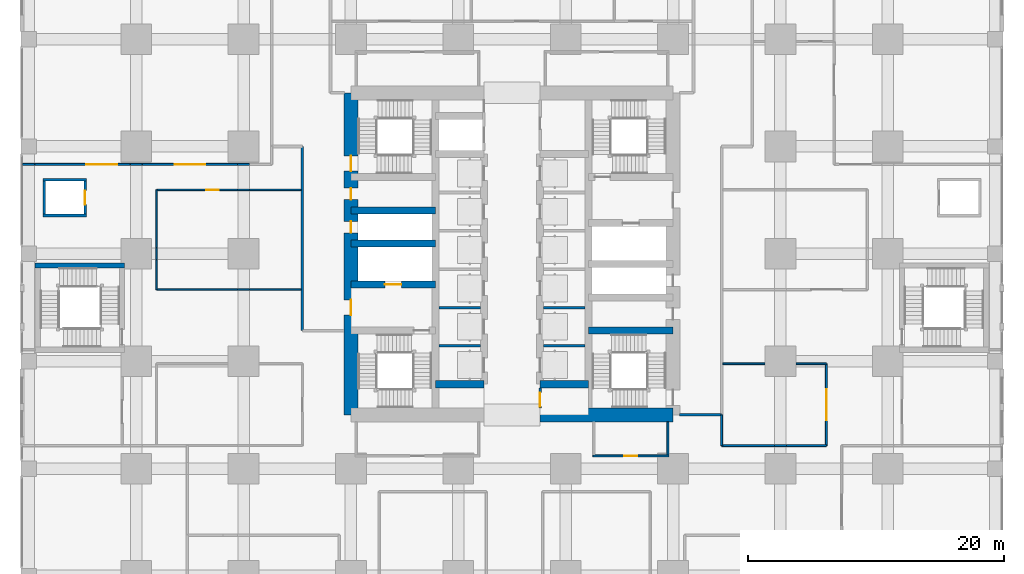
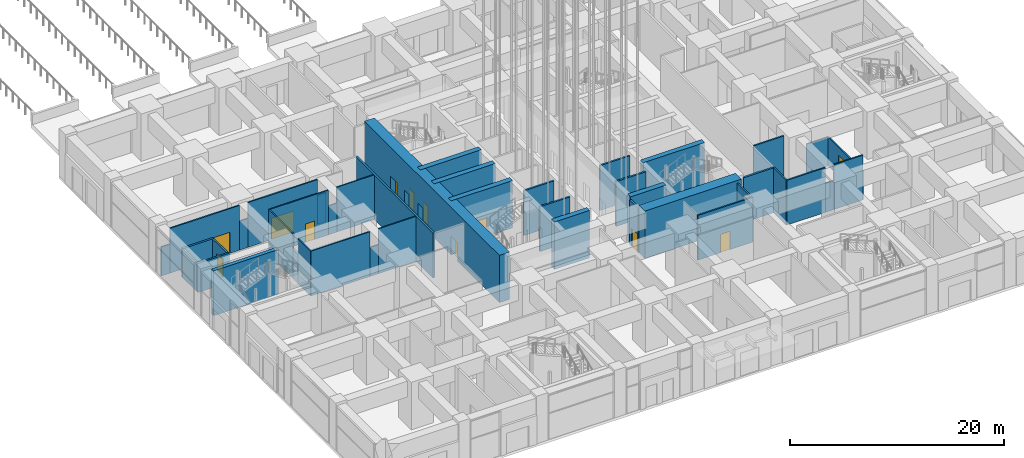
# One storey, part 39 of 81: 43 walls, 12 doors, 12 openings.
"""IFC4 building model written with IfcOpenShell, lengths in metres."""

import ifcopenshell
import ifcopenshell.guid

model = None  # the IFC model being written
_history = None  # IfcOwnerHistory: only IFC2X3 demands one
_inside = {}  # id of a spatial element -> (the spatial element, [elements in it])
_under = {}  # id of a project, library or spatial element -> (it, [spatial elements below it])
_declared = {}  # id of a project -> (the project, [libraries it declares])
_typed = {}  # id of a type object -> (the type object, [elements of that type])
_made_of = {}  # id of a material, layer set ... -> (it, [elements and type objects made of it])


def new_model(schema):
    """Start an empty IFC model of exactly this schema.

    Asked for "IFC4X3", IfcOpenShell would pick the latest addendum, in which some entities
    have other attributes; the version numbers below select the first issue.
    IFC2X3 requires an IfcOwnerHistory on every rooted entity: one is made here for all.
    """
    global model, _history
    if schema == "IFC4X3":
        model = ifcopenshell.file(schema_version=(4, 3, 0, 0))
    else:
        model = ifcopenshell.file(schema=schema)
    _inside.clear()
    _under.clear()
    _declared.clear()
    _typed.clear()
    _made_of.clear()
    _history = None
    if model.schema == "IFC2X3":
        org = make("IfcOrganization", Name="unknown")
        user = make(
            "IfcPersonAndOrganization",
            ThePerson=make("IfcPerson", FamilyName="unknown"),
            TheOrganization=org,
        )
        app = make(
            "IfcApplication",
            ApplicationDeveloper=org,
            Version="unknown",
            ApplicationFullName="unknown",
            ApplicationIdentifier="unknown",
        )
        _history = make(
            "IfcOwnerHistory",
            OwningUser=user,
            OwningApplication=app,
            ChangeAction="ADDED",
            CreationDate=0,
        )
    return model


def make(cls, **values):
    """One entity of the class cls with the attributes given. An attribute that is None is left unset."""
    return model.create_entity(
        cls, **{name: value for name, value in values.items() if value is not None}
    )


def rooted(cls, **values):
    """An entity with a GlobalId (a new one), such as an element, a storey or a relation."""
    return make(cls, GlobalId=ifcopenshell.guid.new(), OwnerHistory=_history, **values)


def si_unit(unit_type, name, prefix=None):
    """IfcSIUnit, for example si_unit("LENGTHUNIT", "METRE", prefix="MILLI")."""
    return make("IfcSIUnit", UnitType=unit_type, Prefix=prefix, Name=name)


def assignment(units):
    """IfcUnitAssignment: the units of a project."""
    return None if units is None else make("IfcUnitAssignment", Units=units)


def point(xyz):
    """IfcCartesianPoint."""
    return None if xyz is None else make("IfcCartesianPoint", Coordinates=xyz)


def direction(xyz):
    """IfcDirection."""
    return None if xyz is None else make("IfcDirection", DirectionRatios=xyz)


def frame(location, z_axis=None, x_axis=None):
    """IfcAxis2Placement3D, a coordinate frame: its origin and axes. An axis left out is left unset."""
    return make(
        "IfcAxis2Placement3D",
        Location=point(location),
        Axis=direction(z_axis),
        RefDirection=direction(x_axis),
    )


def frame_2d(location, x_axis=None):
    """IfcAxis2Placement2D, a coordinate frame in the plane: its origin and x axis."""
    return make(
        "IfcAxis2Placement2D", Location=point(location), RefDirection=direction(x_axis)
    )


def origin():
    """The frame at (0, 0, 0) with its axes left unset."""
    return frame((0.0, 0.0, 0.0))


def place(relative_to, where):
    """IfcLocalPlacement: puts the frame where relative to a parent placement (None: the world)."""
    return make(
        "IfcLocalPlacement", PlacementRelTo=relative_to, RelativePlacement=where
    )


def context(
    kind, dimensions, precision=None, world=None, true_north=None, identifier=None
):
    """IfcGeometricRepresentationContext, for example the 3D "Model" context."""
    return make(
        "IfcGeometricRepresentationContext",
        ContextIdentifier=identifier,
        ContextType=kind,
        CoordinateSpaceDimension=dimensions,
        Precision=precision,
        WorldCoordinateSystem=world,
        TrueNorth=true_north,
    )


def subcontext(parent, identifier, kind, view, scale=None):
    """IfcGeometricRepresentationSubContext, for example "Body" below "Model"."""
    return make(
        "IfcGeometricRepresentationSubContext",
        ContextIdentifier=identifier,
        ContextType=kind,
        ParentContext=parent,
        TargetScale=scale,
        TargetView=view,
    )


def project(units=None, contexts=None):
    """IfcProject with its units and contexts."""
    return rooted(
        "IfcProject",
        Name="project",
        RepresentationContexts=contexts,
        UnitsInContext=assignment(units),
    )


def spatial(cls, under=None, at=None, **own):
    """A site, building, storey or space (cls), placed at a placement, below another one or the project."""
    s = rooted(cls, ObjectPlacement=at, **own)
    if under is not None:
        _under.setdefault(under.id(), (under, []))[1].append(s)
    return s


def profile(cls, at=None, kind="AREA", **sizes):
    """A parametric profile (cls). Its sizes go by their IFC names, for example OverallWidth=200.0."""
    return make(cls, ProfileType=kind, Position=at, **sizes)


def rectangle(**sizes):
    """IfcRectangleProfileDef."""
    return profile("IfcRectangleProfileDef", **sizes)


def extrude(swept, where, along, depth):
    """IfcExtrudedAreaSolid: the profile swept, set in the frame where, extruded along a direction by depth."""
    return make(
        "IfcExtrudedAreaSolid",
        SweptArea=swept,
        Position=where,
        ExtrudedDirection=direction(along),
        Depth=depth,
    )


def shape(context_of_items, identifier, shape_type, items):
    """IfcShapeRepresentation: the items that make up one representation, for example the "Body"."""
    return make(
        "IfcShapeRepresentation",
        ContextOfItems=context_of_items,
        RepresentationIdentifier=identifier,
        RepresentationType=shape_type,
        Items=items,
    )


def material(Name=None, Category=None):
    """IfcMaterial."""
    return make("IfcMaterial", Name=Name, Category=Category)


def layer(
    of_material, thickness, ventilated=None, Name=None, Category=None, Priority=None
):
    """IfcMaterialLayer: one layer of a wall or slab, of a material (None: an air gap)."""
    return make(
        "IfcMaterialLayer",
        Material=of_material,
        LayerThickness=thickness,
        IsVentilated=ventilated,
        Name=Name,
        Category=Category,
        Priority=Priority,
    )


def layer_set(layers, Name=None):
    """IfcMaterialLayerSet."""
    return make("IfcMaterialLayerSet", MaterialLayers=layers, LayerSetName=Name)


def made_of(thing, what):
    """Note that an element or type object is made of a material, layer set ...; save() writes the relation."""
    if what is not None:
        _made_of.setdefault(what.id(), (what, []))[1].append(thing)
    return thing


def type_object(cls, material=None, **own):
    """A type object (cls), such as IfcWallType, which elements share."""
    return made_of(rooted(cls, **own), material)


def element(
    cls,
    number,
    at=None,
    inside=None,
    cuts=None,
    type_object=None,
    material=None,
    context=None,
    identifier="Body",
    shape_type=None,
    held_by="IfcProductDefinitionShape",
    body=None,
    shapes=None,
    **own,
):
    """One element of the class cls, such as IfcWall. Its Tag is "e" and its number.

    at: its placement. inside: the storey or other place that contains it. cuts: it is an
    opening in that element (IfcRelVoidsElement). A single representation is given by context,
    identifier, shape_type and body (its items); several are given by shapes. held_by: the class
    of the entity that holds the representations. save() writes the other relations.
    """
    e = rooted(cls, Tag="e%d" % number, ObjectPlacement=at, **own)
    if body is not None:
        shapes = [shape(context, identifier, shape_type, body)]
    if shapes is not None:
        e.Representation = make(held_by, Representations=shapes)
    if inside is not None:
        _inside.setdefault(inside.id(), (inside, []))[1].append(e)
    if cuts is not None:
        rooted(
            "IfcRelVoidsElement", RelatingBuildingElement=cuts, RelatedOpeningElement=e
        )
    if type_object is not None:
        _typed.setdefault(type_object.id(), (type_object, []))[1].append(e)
    return made_of(e, material)


def fill(opening, filler):
    """IfcRelFillsElement: the door or window that sits in an opening."""
    return rooted(
        "IfcRelFillsElement",
        RelatingOpeningElement=opening,
        RelatedBuildingElement=filler,
    )


def aggregate(whole, parts):
    """IfcRelAggregates: a whole, such as a stair, and the parts it consists of."""
    return rooted("IfcRelAggregates", RelatingObject=whole, RelatedObjects=parts)


def save(model, path):
    """Write the relations noted so far, then the file.

    IfcRelAggregates (storeys below a building ...), IfcRelContainedInSpatialStructure (elements
    in a storey), IfcRelDefinesByType, IfcRelAssociatesMaterial and IfcRelDeclares: one each for
    every whole, place, type object, material and project.
    """
    for whole, parts in _under.values():
        aggregate(whole, parts)
    for where, things in _inside.values():
        rooted(
            "IfcRelContainedInSpatialStructure",
            RelatedElements=things,
            RelatingStructure=where,
        )
    for kind, things in _typed.values():
        rooted("IfcRelDefinesByType", RelatedObjects=things, RelatingType=kind)
    for what, things in _made_of.values():
        rooted("IfcRelAssociatesMaterial", RelatedObjects=things, RelatingMaterial=what)
    for by, libraries in _declared.values():
        rooted("IfcRelDeclares", RelatingContext=by, RelatedDefinitions=libraries)
    model.write(path)


model = new_model("IFC4")

# Units and contexts
model_context = context("Model", 3, precision=1e-05, world=origin(), true_north=direction((0.0, 1.0)))
body_context = subcontext(model_context, "Body", "Model", "MODEL_VIEW")
ifc_project = project(units=[si_unit("LENGTHUNIT", "METRE"), si_unit("AREAUNIT", "SQUARE_METRE"), si_unit("VOLUMEUNIT", "CUBIC_METRE"), si_unit("PLANEANGLEUNIT", "RADIAN"), si_unit("MASSUNIT", "GRAM", prefix="KILO")], contexts=[model_context])

# Site, building, storey
site_placement = place(None, origin())
site = spatial("IfcSite", under=ifc_project, at=site_placement, CompositionType="ELEMENT")
building_placement = place(site_placement, origin())
building = spatial("IfcBuilding", under=site, at=building_placement, Name="Rekha Terrace Tower", CompositionType="ELEMENT")
storey_placement = place(building_placement, origin())
storey = spatial("IfcBuildingStorey", under=building, at=storey_placement, Name="L00", CompositionType="ELEMENT", Elevation=0.0)

# Walls
ifc_material_1 = material(Name="Concrete M70", Category="concrete")
ifc_layer_1 = layer(ifc_material_1, 0.550048828125)
ifc_layer_set_1 = layer_set([ifc_layer_1], Name="Concrete M70")
wall_type_1 = type_object("IfcWallType", Name="CI1 550 core internal shear wall", PredefinedType="SHEAR", material=ifc_layer_set_1)
for number, where, z_axis, x_axis, name in (
    (1, (31.800048828125, 23.39990234375, 0.0), (0.0, 0.0, 1.0), (1.0, 0.0, 0.0), "Core wall Y234W L00"),
    (2, (40.0, 23.39990234375, 0.0), (0.0, 0.0, 1.0), (1.0, 0.0, 0.0), "Core wall Y234E L00"),
):
    element("IfcWall", number, at=place(storey_placement, frame(where, z_axis=z_axis, x_axis=x_axis)), inside=storey, type_object=wall_type_1, Name=name, PredefinedType="SHEAR", context=body_context, shape_type="SweptSolid", body=[
        extrude(rectangle(XDim=3.800048828125, YDim=0.550048828125, at=frame_2d((1.89990234375, 0.0))), origin(), (0.0, 0.0, 1.0), 5.39990234375),
    ])

# Wall, opening, door
wall_1_placement = place(storey_placement, frame((25.199951171875, 31.199951171875, 0.0), z_axis=(0.0, 0.0, 1.0), x_axis=(1.0, 0.0, 0.0)))
wall_1 = element("IfcWall", 3, at=wall_1_placement, inside=storey, type_object=wall_type_1, Name="Core wall Y312W L00", PredefinedType="SHEAR", context=body_context, shape_type="SweptSolid", body=[
    extrude(rectangle(XDim=6.60009765625, YDim=0.550048828125, at=frame_2d((3.300048828125, 0.0))), origin(), (0.0, 0.0, 1.0), 5.39990234375),
])
opening_1_placement = place(wall_1_placement, frame((2.64990234375, 0.0, 0.0)))
opening_1 = element("IfcOpeningElement", 4, at=opening_1_placement, cuts=wall_1, Name="Opening LD2", PredefinedType="OPENING", context=body_context, shape_type="SweptSolid", body=[
    extrude(rectangle(XDim=1.300048828125, YDim=2.10009765625, at=frame_2d((0.64990234375, 1.050048828125))), frame((0.0, 0.284912109375, 0.0), z_axis=(0.0, -1.0, 0.0), x_axis=(1.0, 0.0, 0.0)), (0.0, 0.0, 1.0), 0.570068359375),
])
ifc_material_2 = material(Name="Stainless steel sliding landing door", Category="steel")
door_type_1 = type_object("IfcDoorType", Name="LD2 1300x2100 fire lift landing door", OperationType="SLIDING_TO_LEFT", PredefinedType="USERDEFINED", material=ifc_material_2)
door_1_placement = place(opening_1_placement, origin())
door_1 = element("IfcDoor", 5, at=door_1_placement, inside=storey, type_object=door_type_1, Name="Lift FL1 landing door L00", ObjectType="LIFT LANDING DOOR", OperationType="SLIDING_TO_LEFT", OverallHeight=2.10009765625, OverallWidth=1.300048828125, PredefinedType="USERDEFINED", context=body_context, shape_type="SweptSolid", body=[
    extrude(rectangle(XDim=1.300048828125, YDim=2.10009765625, at=frame_2d((0.64990234375, 1.050048828125))), frame((0.0, 0.02490234375, 0.0), z_axis=(0.0, -1.0, 0.0), x_axis=(1.0, 0.0, 0.0)), (0.0, 0.0, 1.0), 0.050048828125),
])
fill(opening_1, door_1)

# Walls
for number, where, z_axis, x_axis, name in (
    (6, (25.199951171875, 34.39990234375, 0.0), (0.0, 0.0, 1.0), (1.0, 0.0, 0.0), "Core wall Y344W L00"),
    (7, (25.199951171875, 37.0, 0.0), (0.0, 0.0, 1.0), (1.0, 0.0, 0.0), "Core wall Y370W L00"),
):
    element("IfcWall", number, at=place(storey_placement, frame(where, z_axis=z_axis, x_axis=x_axis)), inside=storey, type_object=wall_type_1, Name=name, PredefinedType="SHEAR", context=body_context, shape_type="SweptSolid", body=[
        extrude(rectangle(XDim=6.60009765625, YDim=0.550048828125, at=frame_2d((3.300048828125, 0.0))), origin(), (0.0, 0.0, 1.0), 5.39990234375),
    ])
wall_2_placement = place(storey_placement, frame((43.800048828125, 27.60009765625, 0.0), z_axis=(0.0, 0.0, 1.0), x_axis=(1.0, 0.0, 0.0)))
element("IfcWall", 8, at=wall_2_placement, inside=storey, type_object=wall_type_1, Name="Core wall Y276E L00", PredefinedType="SHEAR", context=body_context, shape_type="SweptSolid", body=[
    extrude(rectangle(XDim=6.599853515625, YDim=0.550048828125, at=frame_2d((3.2998046875, 0.0))), origin(), (0.0, 0.0, 1.0), 5.39990234375),
])
ifc_layer_2 = layer(ifc_material_1, 1.10009765625)
ifc_layer_set_2 = layer_set([ifc_layer_2], Name="Concrete M70")
wall_type_2 = type_object("IfcWallType", Name="SW1 1100 core outer shear wall", PredefinedType="SHEAR", material=ifc_layer_set_2)
wall_3_placement = place(storey_placement, frame((40.0, 21.0, 0.0), z_axis=(0.0, 0.0, 1.0), x_axis=(1.0, 0.0, 0.0)))
element("IfcWall", 9, at=wall_3_placement, inside=storey, type_object=wall_type_2, Name="Core wall S2 L00", PredefinedType="SHEAR", context=body_context, shape_type="SweptSolid", body=[
    extrude(rectangle(XDim=10.39990234375, YDim=1.10009765625, at=frame_2d((5.199951171875, 0.0))), origin(), (0.0, 0.0, 1.0), 5.39990234375),
])

# Wall, openings, doors
wall_4_placement = place(storey_placement, frame((25.199951171875, 21.0, 0.0), z_axis=(0.0, 0.0, 1.0), x_axis=(0.0, 1.0, 0.0)))
wall_4 = element("IfcWall", 10, at=wall_4_placement, inside=storey, type_object=wall_type_2, Name="Core wall W L00", PredefinedType="SHEAR", context=body_context, shape_type="SweptSolid", body=[
    extrude(rectangle(XDim=25.199951171875, YDim=1.10009765625, at=frame_2d((12.60009765625, 0.0))), origin(), (0.0, 0.0, 1.0), 5.39990234375),
])
opening_2_placement = place(wall_4_placement, frame((7.800048828125, 0.0, 0.0)))
opening_2 = element("IfcOpeningElement", 11, at=opening_2_placement, cuts=wall_4, Name="Opening D2", PredefinedType="OPENING", context=body_context, shape_type="SweptSolid", body=[
    extrude(rectangle(XDim=1.199951171875, YDim=2.10009765625, at=frame_2d((0.60009765625, 1.050048828125))), frame((0.0, 0.56005859375, 0.0), z_axis=(0.0, -1.0, 0.0), x_axis=(1.0, 0.0, 0.0)), (0.0, 0.0, 1.0), 1.1201171875),
])
opening_3_placement = place(wall_4_placement, frame((14.25, 0.0, 0.0)))
opening_3 = element("IfcOpeningElement", 12, at=opening_3_placement, cuts=wall_4, Name="Opening D5", PredefinedType="OPENING", context=body_context, shape_type="SweptSolid", body=[
    extrude(rectangle(XDim=0.89990234375, YDim=2.10009765625, at=frame_2d((0.449951171875, 1.050048828125))), frame((0.0, 0.56005859375, 0.0), z_axis=(0.0, -1.0, 0.0), x_axis=(1.0, 0.0, 0.0)), (0.0, 0.0, 1.0), 1.1201171875),
])
opening_4_placement = place(wall_4_placement, frame((16.85009765625, 0.0, 0.0)))
opening_4 = element("IfcOpeningElement", 13, at=opening_4_placement, cuts=wall_4, Name="Opening D5", PredefinedType="OPENING", context=body_context, shape_type="SweptSolid", body=[
    extrude(rectangle(XDim=0.89990234375, YDim=2.10009765625, at=frame_2d((0.449951171875, 1.050048828125))), frame((0.0, 0.56005859375, 0.0), z_axis=(0.0, -1.0, 0.0), x_axis=(1.0, 0.0, 0.0)), (0.0, 0.0, 1.0), 1.1201171875),
])
opening_5_placement = place(wall_4_placement, frame((19.074951171875, 0.0, 0.0)))
opening_5 = element("IfcOpeningElement", 14, at=opening_5_placement, cuts=wall_4, Name="Opening D1", PredefinedType="OPENING", context=body_context, shape_type="SweptSolid", body=[
    extrude(rectangle(XDim=1.199951171875, YDim=2.10009765625, at=frame_2d((0.60009765625, 1.050048828125))), frame((0.0, 0.56005859375, 0.0), z_axis=(0.0, -1.0, 0.0), x_axis=(1.0, 0.0, 0.0)), (0.0, 0.0, 1.0), 1.1201171875),
])
ifc_material_3 = material(Name="Steel fire door", Category="steel")
door_type_2 = type_object("IfcDoorType", Name="D1 1200x2100 stair fire door", OperationType="SINGLE_SWING_RIGHT", PredefinedType="DOOR", material=ifc_material_3)
door_2_placement = place(opening_5_placement, origin())
door_2 = element("IfcDoor", 15, at=door_2_placement, inside=storey, type_object=door_type_2, Name="Stair ST4 door L00", OperationType="SINGLE_SWING_RIGHT", OverallHeight=2.10009765625, OverallWidth=1.199951171875, PredefinedType="DOOR", context=body_context, shape_type="SweptSolid", body=[
    extrude(rectangle(XDim=1.199951171875, YDim=2.10009765625, at=frame_2d((0.60009765625, 1.050048828125))), frame((0.0, 0.02490234375, 0.0), z_axis=(0.0, -1.0, 0.0), x_axis=(1.0, 0.0, 0.0)), (0.0, 0.0, 1.0), 0.050048828125),
])
fill(opening_5, door_2)
door_type_3 = type_object("IfcDoorType", Name="D2 1200x2100 firefighting lobby door", OperationType="SINGLE_SWING_LEFT", PredefinedType="DOOR", material=ifc_material_3)
door_3_placement = place(opening_2_placement, origin())
door_3 = element("IfcDoor", 16, at=door_3_placement, inside=storey, type_object=door_type_3, Name="Door flb1 L00", OperationType="SINGLE_SWING_LEFT", OverallHeight=2.10009765625, OverallWidth=1.199951171875, PredefinedType="DOOR", context=body_context, shape_type="SweptSolid", body=[
    extrude(rectangle(XDim=1.199951171875, YDim=2.10009765625, at=frame_2d((0.60009765625, 1.050048828125))), frame((0.0, 0.02490234375, 0.0), z_axis=(0.0, -1.0, 0.0), x_axis=(1.0, 0.0, 0.0)), (0.0, 0.0, 1.0), 0.050048828125),
])
fill(opening_2, door_3)
door_type_4 = type_object("IfcDoorType", Name="D5 900x2100 riser access door", OperationType="SINGLE_SWING_LEFT", PredefinedType="DOOR", material=ifc_material_3)
door_4_placement = place(opening_3_placement, origin())
door_4 = element("IfcDoor", 17, at=door_4_placement, inside=storey, type_object=door_type_4, Name="Door rs1 L00", OperationType="SINGLE_SWING_LEFT", OverallHeight=2.10009765625, OverallWidth=0.89990234375, PredefinedType="DOOR", context=body_context, shape_type="SweptSolid", body=[
    extrude(rectangle(XDim=0.89990234375, YDim=2.10009765625, at=frame_2d((0.449951171875, 1.050048828125))), frame((0.0, 0.02490234375, 0.0), z_axis=(0.0, -1.0, 0.0), x_axis=(1.0, 0.0, 0.0)), (0.0, 0.0, 1.0), 0.050048828125),
])
fill(opening_3, door_4)
door_5_placement = place(opening_4_placement, origin())
door_5 = element("IfcDoor", 18, at=door_5_placement, inside=storey, type_object=door_type_4, Name="Door elw L00", OperationType="SINGLE_SWING_LEFT", OverallHeight=2.10009765625, OverallWidth=0.89990234375, PredefinedType="DOOR", context=body_context, shape_type="SweptSolid", body=[
    extrude(rectangle(XDim=0.89990234375, YDim=2.10009765625, at=frame_2d((0.449951171875, 1.050048828125))), frame((0.0, 0.02490234375, 0.0), z_axis=(0.0, -1.0, 0.0), x_axis=(1.0, 0.0, 0.0)), (0.0, 0.0, 1.0), 0.050048828125),
])
fill(opening_4, door_5)

# Wall, opening, door
ifc_material_4 = material(Name="Concrete block masonry, 1 hour", Category="masonry")
ifc_layer_3 = layer(ifc_material_4, 0.14990234375)
ifc_layer_set_3 = layer_set([ifc_layer_3], Name="Concrete block masonry, 1 hour")
wall_type_3 = type_object("IfcWallType", Name="WP2 150 tenancy partition", PredefinedType="PARTITIONING", material=ifc_layer_set_3)
wall_5_placement = place(storey_placement, frame((44.125, 17.800048828125, 0.0), z_axis=(0.0, 0.0, 1.0), x_axis=(1.0, 0.0, 0.0)))
wall_5 = element("IfcWall", 19, at=wall_5_placement, inside=storey, type_object=wall_type_3, Name="Men's WC wall L00", PredefinedType="PARTITIONING", context=body_context, shape_type="SweptSolid", body=[
    extrude(rectangle(XDim=5.949951171875, YDim=0.14990234375, at=frame_2d((2.97509765625, 0.0))), origin(), (0.0, 0.0, 1.0), 5.10009765625),
])
opening_6_placement = place(wall_5_placement, frame((2.47509765625, 0.0, 0.0)))
opening_6 = element("IfcOpeningElement", 20, at=opening_6_placement, cuts=wall_5, Name="Opening D3", PredefinedType="OPENING", context=body_context, shape_type="SweptSolid", body=[
    extrude(rectangle(XDim=1.0, YDim=2.10009765625, at=frame_2d((0.5, 1.050048828125))), frame((0.0, 0.0849609375, 0.0), z_axis=(0.0, -1.0, 0.0), x_axis=(1.0, 0.0, 0.0)), (0.0, 0.0, 1.0), 0.169921875),
])
ifc_material_5 = material(Name="Laminated timber fire door", Category="wood")
door_type_5 = type_object("IfcDoorType", Name="D3 1000x2100 WC door", OperationType="SINGLE_SWING_LEFT", PredefinedType="DOOR", material=ifc_material_5)
door_6_placement = place(opening_6_placement, origin())
door_6 = element("IfcDoor", 21, at=door_6_placement, inside=storey, type_object=door_type_5, Name="Door men's wc L00", OperationType="SINGLE_SWING_LEFT", OverallHeight=2.10009765625, OverallWidth=1.0, PredefinedType="DOOR", context=body_context, shape_type="SweptSolid", body=[
    extrude(rectangle(XDim=1.0, YDim=2.10009765625, at=frame_2d((0.5, 1.050048828125))), frame((0.0, 0.02490234375, 0.0), z_axis=(0.0, -1.0, 0.0), x_axis=(1.0, 0.0, 0.0)), (0.0, 0.0, 1.0), 0.050048828125),
])
fill(opening_6, door_6)

# Walls
wall_6_placement = place(storey_placement, frame((50.0, 17.875, 0.0), z_axis=(0.0, 0.0, 1.0), x_axis=(0.0, 1.0, 0.0)))
element("IfcWall", 22, at=wall_6_placement, inside=storey, type_object=wall_type_3, Name="Men's WC wall L00", PredefinedType="PARTITIONING", context=body_context, shape_type="SweptSolid", body=[
    extrude(rectangle(XDim=2.574951171875, YDim=0.14990234375, at=frame_2d((1.28759765625, 0.0))), origin(), (0.0, 0.0, 1.0), 5.10009765625),
])
wall_7_placement = place(storey_placement, frame((17.260009765625, 40.60009765625, 0.0), z_axis=(0.0, 0.0, 1.0), x_axis=(-1.0, 0.0, 0.0)))
element("IfcWall", 23, at=wall_7_placement, inside=storey, type_object=wall_type_3, Name="Partition L00-04", PredefinedType="PARTITIONING", context=body_context, shape_type="SweptSolid", body=[
    extrude(rectangle(XDim=0.919921875, YDim=0.14990234375, at=frame_2d((0.4599609375, 0.0))), origin(), (0.0, 0.0, 1.0), 3.300048828125),
])

# Wall, opening, door
wall_8_placement = place(storey_placement, frame((16.340087890625, 40.60009765625, 0.0), z_axis=(0.0, 0.0, 1.0), x_axis=(-1.0, 0.0, 0.0)))
wall_8 = element("IfcWall", 24, at=wall_8_placement, inside=storey, type_object=wall_type_3, Name="Partition L00-04", PredefinedType="PARTITIONING", context=body_context, shape_type="SweptSolid", body=[
    extrude(rectangle(XDim=7.47998046875, YDim=0.14990234375, at=frame_2d((3.739990234375, 0.0))), origin(), (0.0, 0.0, 1.0), 5.10009765625),
])
opening_7_placement = place(wall_8_placement, frame((2.5400390625, 0.0, 0.0)))
opening_7 = element("IfcOpeningElement", 25, at=opening_7_placement, cuts=wall_8, Name="Opening D7", PredefinedType="OPENING", context=body_context, shape_type="SweptSolid", body=[
    extrude(rectangle(XDim=2.39990234375, YDim=2.39990234375, at=frame_2d((1.199951171875, 1.199951171875))), frame((0.0, 0.0849609375, 0.0), z_axis=(0.0, -1.0, 0.0), x_axis=(1.0, 0.0, 0.0)), (0.0, 0.0, 1.0), 0.169921875),
])
ifc_material_6 = material(Name="Glazed aluminium door", Category="aluminium")
door_type_6 = type_object("IfcDoorType", Name="D7 2400x2400 shopfront double door", OperationType="DOUBLE_DOOR_SINGLE_SWING", PredefinedType="DOOR", material=ifc_material_6)
door_7_placement = place(opening_7_placement, origin())
door_7 = element("IfcDoor", 26, at=door_7_placement, inside=storey, type_object=door_type_6, Name="Door retail unit 1 L00", OperationType="DOUBLE_DOOR_SINGLE_SWING", OverallHeight=2.39990234375, OverallWidth=2.39990234375, PredefinedType="DOOR", context=body_context, shape_type="SweptSolid", body=[
    extrude(rectangle(XDim=2.39990234375, YDim=2.39990234375, at=frame_2d((1.199951171875, 1.199951171875))), frame((0.0, 0.02490234375, 0.0), z_axis=(0.0, -1.0, 0.0), x_axis=(1.0, 0.0, 0.0)), (0.0, 0.0, 1.0), 0.050048828125),
])
fill(opening_7, door_7)

# Wall
wall_9_placement = place(storey_placement, frame((8.860107421875, 40.60009765625, 0.0), z_axis=(0.0, 0.0, 1.0), x_axis=(-1.0, 0.0, 0.0)))
element("IfcWall", 27, at=wall_9_placement, inside=storey, type_object=wall_type_3, Name="Partition L00-04", PredefinedType="PARTITIONING", context=body_context, shape_type="SweptSolid", body=[
    extrude(rectangle(XDim=0.920166015625, YDim=0.14990234375, at=frame_2d((0.4599609375, 0.0))), origin(), (0.0, 0.0, 1.0), 3.300048828125),
])

# Wall, opening, door
wall_10_placement = place(storey_placement, frame((7.93994140625, 40.60009765625, 0.0), z_axis=(0.0, 0.0, 1.0), x_axis=(-1.0, 0.0, 0.0)))
wall_10 = element("IfcWall", 28, at=wall_10_placement, inside=storey, type_object=wall_type_3, Name="Partition L00-04", PredefinedType="PARTITIONING", context=body_context, shape_type="SweptSolid", body=[
    extrude(rectangle(XDim=7.47998046875, YDim=0.14990234375, at=frame_2d((3.739990234375, 0.0))), origin(), (0.0, 0.0, 1.0), 5.10009765625),
])
opening_8_placement = place(wall_10_placement, frame((1.0400390625, 0.0, 0.0)))
opening_8 = element("IfcOpeningElement", 29, at=opening_8_placement, cuts=wall_10, Name="Opening D7", PredefinedType="OPENING", context=body_context, shape_type="SweptSolid", body=[
    extrude(rectangle(XDim=2.39990234375, YDim=2.39990234375, at=frame_2d((1.199951171875, 1.199951171875))), frame((0.0, 0.0849609375, 0.0), z_axis=(0.0, -1.0, 0.0), x_axis=(1.0, 0.0, 0.0)), (0.0, 0.0, 1.0), 0.169921875),
])
door_8_placement = place(opening_8_placement, origin())
door_8 = element("IfcDoor", 30, at=door_8_placement, inside=storey, type_object=door_type_6, Name="Door retail unit 1 L00", OperationType="DOUBLE_DOOR_SINGLE_SWING", OverallHeight=2.39990234375, OverallWidth=2.39990234375, PredefinedType="DOOR", context=body_context, shape_type="SweptSolid", body=[
    extrude(rectangle(XDim=2.39990234375, YDim=2.39990234375, at=frame_2d((1.199951171875, 1.199951171875))), frame((0.0, 0.02490234375, 0.0), z_axis=(0.0, -1.0, 0.0), x_axis=(1.0, 0.0, 0.0)), (0.0, 0.0, 1.0), 0.050048828125),
])
fill(opening_8, door_8)

# Wall
wall_11_placement = place(storey_placement, frame((0.4599609375, 40.60009765625, 0.0), z_axis=(0.0, 0.0, 1.0), x_axis=(-1.0, 0.0, 0.0)))
element("IfcWall", 31, at=wall_11_placement, inside=storey, type_object=wall_type_3, Name="Partition L00-04", PredefinedType="PARTITIONING", context=body_context, shape_type="SweptSolid", body=[
    extrude(rectangle(XDim=0.949951171875, YDim=0.14990234375, at=frame_2d((0.47509765625, 0.0))), origin(), (0.0, 0.0, 1.0), 3.300048828125),
])

# Wall, opening, door
wall_12_placement = place(storey_placement, frame((62.39990234375, 25.0, 0.0), z_axis=(0.0, 0.0, 1.0), x_axis=(0.0, -1.0, 0.0)))
wall_12 = element("IfcWall", 32, at=wall_12_placement, inside=storey, type_object=wall_type_3, Name="Partition L00-10", PredefinedType="PARTITIONING", context=body_context, shape_type="SweptSolid", body=[
    extrude(rectangle(XDim=6.39990234375, YDim=0.14990234375, at=frame_2d((3.199951171875, 0.0))), origin(), (0.0, 0.0, 1.0), 3.300048828125),
])
opening_9_placement = place(wall_12_placement, frame((2.0, 0.0, 0.0)))
opening_9 = element("IfcOpeningElement", 33, at=opening_9_placement, cuts=wall_12, Name="Opening D7", PredefinedType="OPENING", context=body_context, shape_type="SweptSolid", body=[
    extrude(rectangle(XDim=2.39990234375, YDim=2.39990234375, at=frame_2d((1.199951171875, 1.199951171875))), frame((0.0, 0.0849609375, 0.0), z_axis=(0.0, -1.0, 0.0), x_axis=(1.0, 0.0, 0.0)), (0.0, 0.0, 1.0), 0.169921875),
])
door_9_placement = place(opening_9_placement, origin())
door_9 = element("IfcDoor", 34, at=door_9_placement, inside=storey, type_object=door_type_6, Name="Door retail unit 16 L00", OperationType="DOUBLE_DOOR_SINGLE_SWING", OverallHeight=2.39990234375, OverallWidth=2.39990234375, PredefinedType="DOOR", context=body_context, shape_type="SweptSolid", body=[
    extrude(rectangle(XDim=2.39990234375, YDim=2.39990234375, at=frame_2d((1.199951171875, 1.199951171875))), frame((0.0, 0.02490234375, 0.0), z_axis=(0.0, -1.0, 0.0), x_axis=(1.0, 0.0, 0.0)), (0.0, 0.0, 1.0), 0.050048828125),
])
fill(opening_9, door_9)

# Walls
wall_13_placement = place(storey_placement, frame((62.39990234375, 18.60009765625, 0.0), z_axis=(0.0, 0.0, 1.0), x_axis=(-1.0, 0.0, 0.0)))
element("IfcWall", 35, at=wall_13_placement, inside=storey, type_object=wall_type_3, Name="Partition L00-10", PredefinedType="PARTITIONING", context=body_context, shape_type="SweptSolid", body=[
    extrude(rectangle(XDim=3.139892578125, YDim=0.14990234375, at=frame_2d((1.56982421875, 0.0))), origin(), (0.0, 0.0, 1.0), 5.10009765625),
])
wall_14_placement = place(storey_placement, frame((59.260009765625, 18.60009765625, 0.0), z_axis=(0.0, 0.0, 1.0), x_axis=(-1.0, 0.0, 0.0)))
element("IfcWall", 36, at=wall_14_placement, inside=storey, type_object=wall_type_3, Name="Partition L00-10", PredefinedType="PARTITIONING", context=body_context, shape_type="SweptSolid", body=[
    extrude(rectangle(XDim=0.919921875, YDim=0.14990234375, at=frame_2d((0.4599609375, 0.0))), origin(), (0.0, 0.0, 1.0), 3.300048828125),
])
wall_15_placement = place(storey_placement, frame((58.340087890625, 18.60009765625, 0.0), z_axis=(0.0, 0.0, 1.0), x_axis=(-1.0, 0.0, 0.0)))
element("IfcWall", 37, at=wall_15_placement, inside=storey, type_object=wall_type_3, Name="Partition L00-10", PredefinedType="PARTITIONING", context=body_context, shape_type="SweptSolid", body=[
    extrude(rectangle(XDim=4.14013671875, YDim=0.14990234375, at=frame_2d((2.070068359375, 0.0))), origin(), (0.0, 0.0, 1.0), 5.10009765625),
])
wall_16_placement = place(storey_placement, frame((54.199951171875, 18.60009765625, 0.0), z_axis=(0.0, 0.0, 1.0), x_axis=(0.0, 1.0, 0.0)))
element("IfcWall", 38, at=wall_16_placement, inside=storey, type_object=wall_type_3, Name="Partition L00-10", PredefinedType="PARTITIONING", context=body_context, shape_type="SweptSolid", body=[
    extrude(rectangle(XDim=2.39990234375, YDim=0.14990234375, at=frame_2d((1.199951171875, 0.0))), origin(), (0.0, 0.0, 1.0), 5.10009765625),
])
wall_17_placement = place(storey_placement, frame((54.300048828125, 25.0, 0.0), z_axis=(0.0, 0.0, 1.0), x_axis=(1.0, 0.0, 0.0)))
element("IfcWall", 39, at=wall_17_placement, inside=storey, type_object=wall_type_3, Name="Partition L00-10", PredefinedType="PARTITIONING", context=body_context, shape_type="SweptSolid", body=[
    extrude(rectangle(XDim=3.280029296875, YDim=0.14990234375, at=frame_2d((1.64013671875, 0.0))), origin(), (0.0, 0.0, 1.0), 5.10009765625),
])
wall_18_placement = place(storey_placement, frame((60.02001953125, 25.0, 0.0), z_axis=(0.0, 0.0, 1.0), x_axis=(1.0, 0.0, 0.0)))
element("IfcWall", 40, at=wall_18_placement, inside=storey, type_object=wall_type_3, Name="Partition L00-10", PredefinedType="PARTITIONING", context=body_context, shape_type="SweptSolid", body=[
    extrude(rectangle(XDim=2.3798828125, YDim=0.14990234375, at=frame_2d((1.18994140625, 0.0))), origin(), (0.0, 0.0, 1.0), 3.300048828125),
])
ifc_material_7 = material(Name="Two layers of fire-rated gypsum board each side on steel studs, acoustic quilt, 1 hour", Category="steel")
ifc_layer_4 = layer(ifc_material_7, 0.125)
ifc_layer_set_4 = layer_set([ifc_layer_4], Name="Two layers of fire-rated gypsum board each side on steel studs, acoustic quilt, 1 hour")
wall_type_4 = type_object("IfcWallType", Name="WP3 125 office partition", PredefinedType="PARTITIONING", material=ifc_layer_set_4)
wall_19_placement = place(storey_placement, frame((10.0, 30.800048828125, 0.0), z_axis=(0.0, 0.0, 1.0), x_axis=(0.0, 1.0, 0.0)))
element("IfcWall", 41, at=wall_19_placement, inside=storey, type_object=wall_type_4, Name="Partition L00-09", PredefinedType="PARTITIONING", context=body_context, shape_type="SweptSolid", body=[
    extrude(rectangle(XDim=2.33984375, YDim=0.125, at=frame_2d((1.169921875, 0.0))), origin(), (0.0, 0.0, 1.0), 5.10009765625),
])
wall_20_placement = place(storey_placement, frame((10.0, 33.139892578125, 0.0), z_axis=(0.0, 0.0, 1.0), x_axis=(0.0, 1.0, 0.0)))
element("IfcWall", 42, at=wall_20_placement, inside=storey, type_object=wall_type_4, Name="Partition L00-09", PredefinedType="PARTITIONING", context=body_context, shape_type="SweptSolid", body=[
    extrude(rectangle(XDim=0.920166015625, YDim=0.125, at=frame_2d((0.4599609375, 0.0))), origin(), (0.0, 0.0, 1.0), 3.300048828125),
])
wall_21_placement = place(storey_placement, frame((10.0, 34.06005859375, 0.0), z_axis=(0.0, 0.0, 1.0), x_axis=(0.0, 1.0, 0.0)))
element("IfcWall", 43, at=wall_21_placement, inside=storey, type_object=wall_type_4, Name="Partition L00-09", PredefinedType="PARTITIONING", context=body_context, shape_type="SweptSolid", body=[
    extrude(rectangle(XDim=4.5400390625, YDim=0.125, at=frame_2d((2.27001953125, 0.0))), origin(), (0.0, 0.0, 1.0), 5.10009765625),
])

# Wall, opening, door
wall_22_placement = place(storey_placement, frame((10.0, 38.60009765625, 0.0), z_axis=(0.0, 0.0, 1.0), x_axis=(1.0, 0.0, 0.0)))
wall_22 = element("IfcWall", 44, at=wall_22_placement, inside=storey, type_object=wall_type_4, Name="Partition L00-09", PredefinedType="PARTITIONING", context=body_context, shape_type="SweptSolid", body=[
    extrude(rectangle(XDim=6.340087890625, YDim=0.125, at=frame_2d((3.169921875, 0.0))), origin(), (0.0, 0.0, 1.0), 5.10009765625),
])
opening_10_placement = place(wall_22_placement, frame((3.8701171875, 0.0, 0.0)))
opening_10 = element("IfcOpeningElement", 45, at=opening_10_placement, cuts=wall_22, Name="Opening D9", PredefinedType="OPENING", context=body_context, shape_type="SweptSolid", body=[
    extrude(rectangle(XDim=1.0, YDim=2.10009765625, at=frame_2d((0.5, 1.050048828125))), frame((0.0, 0.072509765625, 0.0), z_axis=(0.0, -1.0, 0.0), x_axis=(1.0, 0.0, 0.0)), (0.0, 0.0, 1.0), 0.14501953125),
])
ifc_material_8 = material(Name="Timber fire door", Category="wood")
door_type_7 = type_object("IfcDoorType", Name="D9 1000x2100 office door", OperationType="SINGLE_SWING_LEFT", PredefinedType="DOOR", material=ifc_material_8)
door_10_placement = place(opening_10_placement, origin())
door_10 = element("IfcDoor", 46, at=door_10_placement, inside=storey, type_object=door_type_7, Name="Door metro customer service office L00", OperationType="SINGLE_SWING_LEFT", OverallHeight=2.10009765625, OverallWidth=1.0, PredefinedType="DOOR", context=body_context, shape_type="SweptSolid", body=[
    extrude(rectangle(XDim=1.0, YDim=2.10009765625, at=frame_2d((0.5, 1.050048828125))), frame((0.0, 0.02490234375, 0.0), z_axis=(0.0, -1.0, 0.0), x_axis=(1.0, 0.0, 0.0)), (0.0, 0.0, 1.0), 0.050048828125),
])
fill(opening_10, door_10)

# Walls
wall_23_placement = place(storey_placement, frame((16.340087890625, 38.60009765625, 0.0), z_axis=(0.0, 0.0, 1.0), x_axis=(1.0, 0.0, 0.0)))
element("IfcWall", 47, at=wall_23_placement, inside=storey, type_object=wall_type_4, Name="Partition L00-09", PredefinedType="PARTITIONING", context=body_context, shape_type="SweptSolid", body=[
    extrude(rectangle(XDim=0.919921875, YDim=0.125, at=frame_2d((0.4599609375, 0.0))), origin(), (0.0, 0.0, 1.0), 3.300048828125),
])
for number, where, z_axis, x_axis, name in (
    (48, (17.260009765625, 38.60009765625, 0.0), (0.0, 0.0, 1.0), (1.0, 0.0, 0.0), "Partition L00-09"),
    (49, (21.300048828125, 30.800048828125, 0.0), (0.0, 0.0, 1.0), (-1.0, 0.0, 0.0), "Partition L00-09"),
):
    element("IfcWall", number, at=place(storey_placement, frame(where, z_axis=z_axis, x_axis=x_axis)), inside=storey, type_object=wall_type_4, Name=name, PredefinedType="PARTITIONING", context=body_context, shape_type="SweptSolid", body=[
        extrude(rectangle(XDim=4.0400390625, YDim=0.125, at=frame_2d((2.02001953125, 0.0))), origin(), (0.0, 0.0, 1.0), 5.10009765625),
    ])
wall_24_placement = place(storey_placement, frame((17.260009765625, 30.800048828125, 0.0), z_axis=(0.0, 0.0, 1.0), x_axis=(-1.0, 0.0, 0.0)))
element("IfcWall", 50, at=wall_24_placement, inside=storey, type_object=wall_type_4, Name="Partition L00-09", PredefinedType="PARTITIONING", context=body_context, shape_type="SweptSolid", body=[
    extrude(rectangle(XDim=0.919921875, YDim=0.125, at=frame_2d((0.4599609375, 0.0))), origin(), (0.0, 0.0, 1.0), 3.300048828125),
])
wall_25_placement = place(storey_placement, frame((16.340087890625, 30.800048828125, 0.0), z_axis=(0.0, 0.0, 1.0), x_axis=(-1.0, 0.0, 0.0)))
element("IfcWall", 51, at=wall_25_placement, inside=storey, type_object=wall_type_4, Name="Partition L00-09", PredefinedType="PARTITIONING", context=body_context, shape_type="SweptSolid", body=[
    extrude(rectangle(XDim=6.340087890625, YDim=0.125, at=frame_2d((3.169921875, 0.0))), origin(), (0.0, 0.0, 1.0), 5.10009765625),
])
ifc_material_9 = material(Name="Solid concrete block masonry, 2 hour", Category="masonry")
ifc_layer_5 = layer(ifc_material_9, 0.199951171875)
ifc_layer_set_5 = layer_set([ifc_layer_5], Name="Solid concrete block masonry, 2 hour")
wall_type_5 = type_object("IfcWallType", Name="WS1 200 stair and shaft enclosure", PredefinedType="PARTITIONING", material=ifc_layer_set_5)
for number, where, z_axis, x_axis, name in (
    (52, (1.10009765625, 36.60009765625, 0.0), (0.0, 0.0, 1.0), (1.0, 0.0, 0.0), "Lift PL1 shaft south wall"),
    (53, (1.10009765625, 39.39990234375, 0.0), (0.0, 0.0, 1.0), (1.0, 0.0, 0.0), "Lift PL1 shaft north wall"),
):
    element("IfcWall", number, at=place(storey_placement, frame(where, z_axis=z_axis, x_axis=x_axis)), inside=storey, type_object=wall_type_5, Name=name, PredefinedType="PARTITIONING", context=body_context, shape_type="SweptSolid", body=[
        extrude(rectangle(XDim=3.39990234375, YDim=0.199951171875, at=frame_2d((1.699951171875, 0.0))), origin(), (0.0, 0.0, 1.0), 3.300048828125),
    ])
wall_26_placement = place(storey_placement, frame((1.199951171875, 36.699951171875, 0.0), z_axis=(0.0, 0.0, 1.0), x_axis=(0.0, 1.0, 0.0)))
element("IfcWall", 54, at=wall_26_placement, inside=storey, type_object=wall_type_5, Name="Lift PL1 shaft west wall", PredefinedType="PARTITIONING", context=body_context, shape_type="SweptSolid", body=[
    extrude(rectangle(XDim=2.60009765625, YDim=0.199951171875, at=frame_2d((1.300048828125, 0.0))), origin(), (0.0, 0.0, 1.0), 3.300048828125),
])

# Wall, opening, door
wall_27_placement = place(storey_placement, frame((4.39990234375, 36.699951171875, 0.0), z_axis=(0.0, 0.0, 1.0), x_axis=(0.0, 1.0, 0.0)))
wall_27 = element("IfcWall", 55, at=wall_27_placement, inside=storey, type_object=wall_type_5, Name="Lift PL1 shaft east wall", PredefinedType="PARTITIONING", context=body_context, shape_type="SweptSolid", body=[
    extrude(rectangle(XDim=2.60009765625, YDim=0.199951171875, at=frame_2d((1.300048828125, 0.0))), origin(), (0.0, 0.0, 1.0), 3.300048828125),
])
opening_11_placement = place(wall_27_placement, frame((0.75, 0.0, 0.0)))
opening_11 = element("IfcOpeningElement", 56, at=opening_11_placement, cuts=wall_27, Name="Opening LD1", PredefinedType="OPENING", context=body_context, shape_type="SweptSolid", body=[
    extrude(rectangle(XDim=1.10009765625, YDim=2.10009765625, at=frame_2d((0.550048828125, 1.050048828125))), frame((0.0, 0.10986328125, 0.0), z_axis=(0.0, -1.0, 0.0), x_axis=(1.0, 0.0, 0.0)), (0.0, 0.0, 1.0), 0.219970703125),
])
door_type_8 = type_object("IfcDoorType", Name="LD1 1100x2100 lift landing door", OperationType="SLIDING_TO_LEFT", PredefinedType="USERDEFINED", material=ifc_material_2)
door_11_placement = place(opening_11_placement, origin())
door_11 = element("IfcDoor", 57, at=door_11_placement, inside=storey, type_object=door_type_8, Name="Lift PL1 landing door L00", ObjectType="LIFT LANDING DOOR", OperationType="SLIDING_TO_LEFT", OverallHeight=2.10009765625, OverallWidth=1.10009765625, PredefinedType="USERDEFINED", context=body_context, shape_type="SweptSolid", body=[
    extrude(rectangle(XDim=1.10009765625, YDim=2.10009765625, at=frame_2d((0.550048828125, 1.050048828125))), frame((0.0, 0.02490234375, 0.0), z_axis=(0.0, -1.0, 0.0), x_axis=(1.0, 0.0, 0.0)), (0.0, 0.0, 1.0), 0.050048828125),
])
fill(opening_11, door_11)

# Walls
for number, where, z_axis, x_axis, name in (
    (58, (32.074951171875, 26.39990234375, 0.0), (0.0, 0.0, 1.0), (1.0, 0.0, 0.0), "Lift shaft divider L00"),
    (59, (32.074951171875, 29.39990234375, 0.0), (0.0, 0.0, 1.0), (1.0, 0.0, 0.0), "Lift shaft divider L00"),
    (60, (40.27490234375, 26.39990234375, 0.0), (0.0, 0.0, 1.0), (1.0, 0.0, 0.0), "Lift shaft divider L00"),
    (61, (40.27490234375, 29.39990234375, 0.0), (0.0, 0.0, 1.0), (1.0, 0.0, 0.0), "Lift shaft divider L00"),
):
    element("IfcWall", number, at=place(storey_placement, frame(where, z_axis=z_axis, x_axis=x_axis)), inside=storey, type_object=wall_type_5, Name=name, PredefinedType="PARTITIONING", context=body_context, shape_type="SweptSolid", body=[
        extrude(rectangle(XDim=3.25, YDim=0.199951171875, at=frame_2d((1.625, 0.0))), origin(), (0.0, 0.0, 1.0), 5.10009765625),
    ])

# Wall, opening, door
wall_28_placement = place(storey_placement, frame((40.0, 21.550048828125, 0.0), z_axis=(0.0, 0.0, 1.0), x_axis=(0.0, 1.0, 0.0)))
wall_28 = element("IfcWall", 62, at=wall_28_placement, inside=storey, type_object=wall_type_5, Name="Core partition wca L00", PredefinedType="PARTITIONING", context=body_context, shape_type="SweptSolid", body=[
    extrude(rectangle(XDim=1.574951171875, YDim=0.199951171875, at=frame_2d((0.78759765625, 0.0))), origin(), (0.0, 0.0, 1.0), 5.10009765625),
])
opening_12_placement = place(wall_28_placement, frame((0.10009765625, 0.0, 0.0)))
opening_12 = element("IfcOpeningElement", 63, at=opening_12_placement, cuts=wall_28, Name="Opening D4", PredefinedType="OPENING", context=body_context, shape_type="SweptSolid", body=[
    extrude(rectangle(XDim=1.10009765625, YDim=2.10009765625, at=frame_2d((0.550048828125, 1.050048828125))), frame((0.0, 0.10986328125, 0.0), z_axis=(0.0, -1.0, 0.0), x_axis=(1.0, 0.0, 0.0)), (0.0, 0.0, 1.0), 0.219970703125),
])
door_type_9 = type_object("IfcDoorType", Name="D4 1100x2100 accessible WC door", OperationType="SLIDING_TO_LEFT", PredefinedType="DOOR", material=ifc_material_5)
door_12_placement = place(opening_12_placement, origin())
door_12 = element("IfcDoor", 64, at=door_12_placement, inside=storey, type_object=door_type_9, Name="Door wca L00", OperationType="SLIDING_TO_LEFT", OverallHeight=2.10009765625, OverallWidth=1.10009765625, PredefinedType="DOOR", context=body_context, shape_type="SweptSolid", body=[
    extrude(rectangle(XDim=1.10009765625, YDim=2.10009765625, at=frame_2d((0.550048828125, 1.050048828125))), frame((0.0, 0.02490234375, 0.0), z_axis=(0.0, -1.0, 0.0), x_axis=(1.0, 0.0, 0.0)), (0.0, 0.0, 1.0), 0.050048828125),
])
fill(opening_12, door_12)

# Walls
wall_29_placement = place(storey_placement, frame((21.39990234375, 27.60009765625, 0.0), z_axis=(0.0, 0.0, 1.0), x_axis=(0.0, 1.0, 0.0)))
element("IfcWall", 65, at=wall_29_placement, inside=storey, type_object=wall_type_5, Name="Partition L00-EP1", PredefinedType="PARTITIONING", context=body_context, shape_type="SweptSolid", body=[
    extrude(rectangle(XDim=14.39990234375, YDim=0.199951171875, at=frame_2d((7.199951171875, 0.0))), origin(), (0.0, 0.0, 1.0), 5.10009765625),
])
wall_30_placement = place(storey_placement, frame((54.199951171875, 21.0, 0.0), z_axis=(0.0, 0.0, 1.0), x_axis=(-1.0, 0.0, 0.0)))
element("IfcWall", 66, at=wall_30_placement, inside=storey, type_object=wall_type_5, Name="Partition L00-EP2", PredefinedType="PARTITIONING", context=body_context, shape_type="SweptSolid", body=[
    extrude(rectangle(XDim=3.300048828125, YDim=0.199951171875, at=frame_2d((1.64990234375, 0.0))), origin(), (0.0, 0.0, 1.0), 5.10009765625),
])
ifc_material_10 = material(Name="Concrete M60", Category="concrete")
ifc_layer_6 = layer(ifc_material_10, 0.39990234375)
ifc_layer_set_6 = layer_set([ifc_layer_6], Name="Concrete M60")
wall_type_6 = type_object("IfcWallType", Name="WS3 400 RC podium stair wall", PredefinedType="SOLIDWALL", material=ifc_layer_set_6)
wall_31_placement = place(storey_placement, frame((0.5, 32.699951171875, 0.0), z_axis=(0.0, 0.0, 1.0), x_axis=(1.0, 0.0, 0.0)))
element("IfcWall", 67, at=wall_31_placement, inside=storey, type_object=wall_type_6, Name="Stair SP1 north wall", PredefinedType="SOLIDWALL", context=body_context, shape_type="SweptSolid", body=[
    extrude(rectangle(XDim=7.0, YDim=0.39990234375, at=frame_2d((3.5, 0.0))), origin(), (0.0, 0.0, 1.0), 5.10009765625),
])

save(model, "model.ifc")
